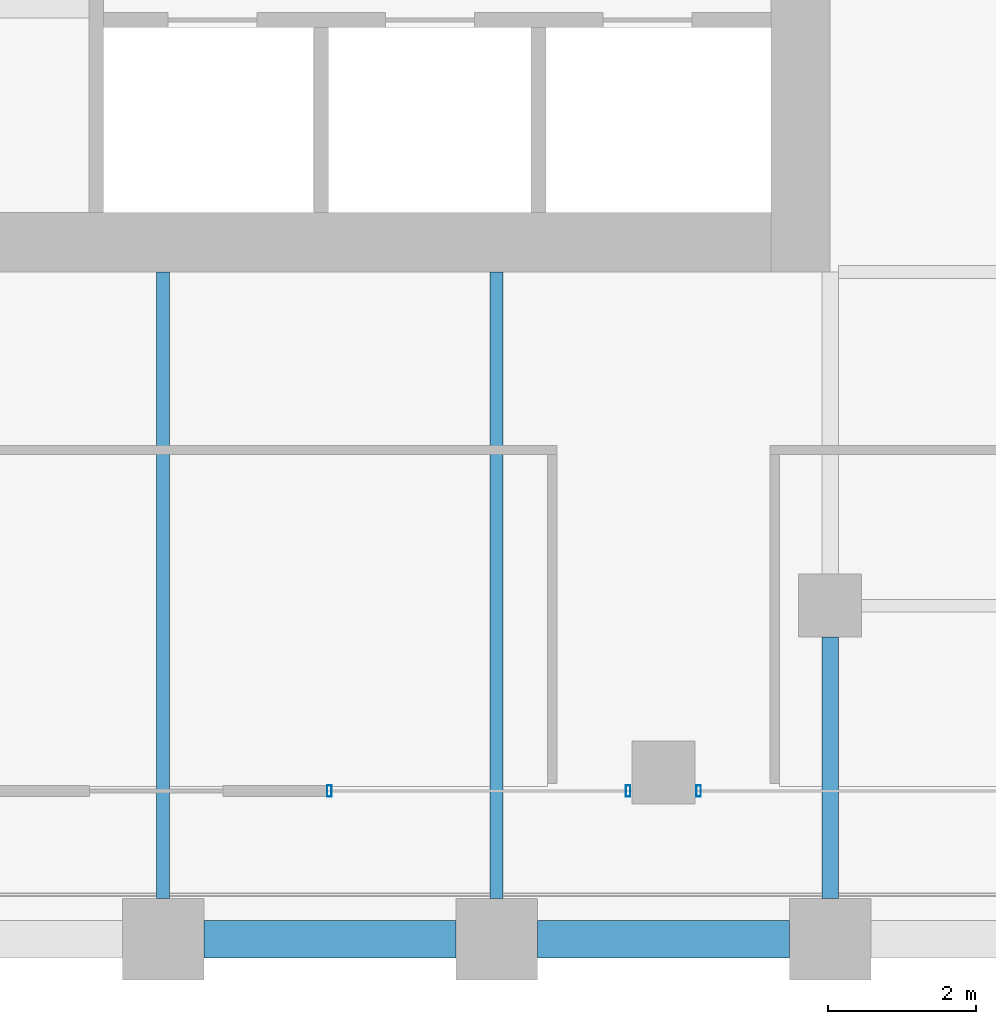
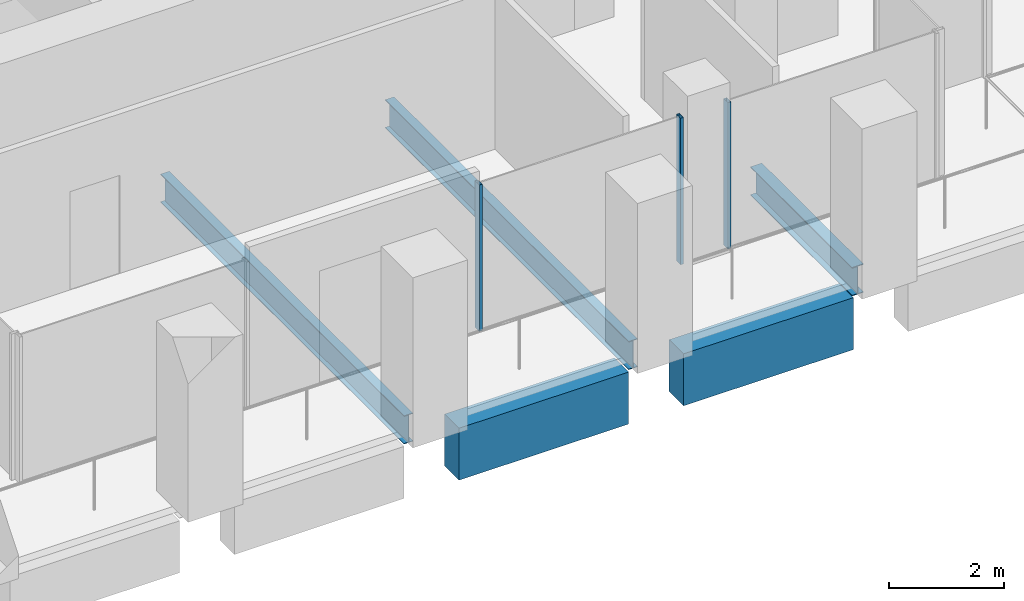
# One storey, part 37 of 56: 5 beams, 3 members, 2 elements without a shape of their own.
"""IFC4 building model written with IfcOpenShell, lengths in metres."""

from ifc_helpers import new_model, si_unit, direction, frame, origin, origin_2d, place, context, subcontext, project, spatial, rectangle, hollow_rectangle, i_section, extrude, material, material_profile, profile_set, type_object, element, aggregate, save


model = new_model("IFC4")

# Units and contexts
model_context = context("Model", 3, precision=1e-05, world=origin(), true_north=direction((0.0, 1.0)))
body_context = subcontext(model_context, "Body", "Model", "MODEL_VIEW")
ifc_project = project(units=[si_unit("LENGTHUNIT", "METRE"), si_unit("AREAUNIT", "SQUARE_METRE"), si_unit("VOLUMEUNIT", "CUBIC_METRE"), si_unit("PLANEANGLEUNIT", "RADIAN"), si_unit("MASSUNIT", "GRAM", prefix="KILO")], contexts=[model_context])

# Site, building, storey
site_placement = place(None, origin())
site = spatial("IfcSite", under=ifc_project, at=site_placement, CompositionType="ELEMENT")
building_placement = place(site_placement, origin())
building = spatial("IfcBuilding", under=site, at=building_placement, Name="Altepetl Exchange Towers", CompositionType="ELEMENT")
storey_placement = place(building_placement, frame((0.0, 0.0, 83.39990234375)))
storey = spatial("IfcBuildingStorey", under=building, at=storey_placement, Name="L20", CompositionType="ELEMENT", Elevation=83.39990234375)

# Beams
ifc_material_1 = material(Name="Steel S355", Category="steel")
ifc_material_profile_1 = material_profile(ifc_material_1, i_section(OverallWidth=0.177978515625, OverallDepth=0.59912109375, WebThickness=0.010009765625, FlangeThickness=0.0126953125, at=origin_2d()), Name="W24X55")
ifc_profile_set_1 = profile_set([ifc_material_profile_1], Name="Steel S355")
beam_type_1 = type_object("IfcBeamType", Name="Floor beam W24X55", PredefinedType="BEAM", material=ifc_profile_set_1)
for number, where, z_axis, x_axis, name in (
    (1, (108.0, 27.550048828125, -0.449462890625), (0.0, 1.0, 0.0), (-1.0, 0.0, 0.0), "bm:B:L20:010"),
    (2, (112.5, 27.550048828125, -0.449462890625), (0.0, 1.0, 0.0), (-1.0, 0.0, 0.0), "bm:B:L20:011"),
):
    element("IfcBeam", number, at=place(storey_placement, frame(where, z_axis=z_axis, x_axis=x_axis)), inside=storey, type_object=beam_type_1, Name=name, PredefinedType="BEAM", context=body_context, shape_type="SweptSolid", body=[
        extrude(i_section(OverallWidth=0.177978515625, OverallDepth=0.59912109375, WebThickness=0.010009765625, FlangeThickness=0.0126953125, at=origin_2d()), origin(), (0.0, 0.0, 1.0), 8.449951171875),
    ])
ifc_material_profile_2 = material_profile(ifc_material_1, i_section(OverallWidth=0.22802734375, OverallDepth=0.60791015625, WebThickness=0.01123046875, FlangeThickness=0.017333984375, at=origin_2d()), Name="W24X76")
ifc_profile_set_2 = profile_set([ifc_material_profile_2], Name="Steel S355")
beam_type_2 = type_object("IfcBeamType", Name="Girder W24X76", PredefinedType="BEAM", material=ifc_profile_set_2)
beam_placement = place(storey_placement, frame((117.0, 31.074951171875, -0.453857421875), z_axis=(0.0, -1.0, 0.0), x_axis=(1.0, 0.0, 0.0)))
element("IfcBeam", 3, at=beam_placement, inside=storey, type_object=beam_type_2, Name="gd:B:L20:005", PredefinedType="BEAM", context=body_context, shape_type="SweptSolid", body=[
    extrude(i_section(OverallWidth=0.22802734375, OverallDepth=0.60791015625, WebThickness=0.01123046875, FlangeThickness=0.017333984375, at=origin_2d()), origin(), (0.0, 0.0, 1.0), 3.52490234375),
])

# Curtain wall, members
ifc_material_2 = material(Name="Aluminium 6063-T6 glazing", Category="aluminium")
curtain_wall_type = type_object("IfcCurtainWallType", Name="Loggia glazing system", PredefinedType="NOTDEFINED", material=ifc_material_2)
curtain_wall_1_placement = place(storey_placement, origin())
curtain_wall_1 = element("IfcCurtainWall", 4, at=curtain_wall_1_placement, inside=storey, type_object=curtain_wall_type, Name="CW1 run", PredefinedType="NOTDEFINED")
ifc_material_3 = material(Name="Aluminium 6063-T6", Category="aluminium")
ifc_material_profile_3 = material_profile(ifc_material_3, hollow_rectangle(XDim=0.06005859375, YDim=0.14990234375, WallThickness=0.0029296875, at=origin_2d()), Name="Mullion 60x150 aluminium")
ifc_profile_set_3 = profile_set([ifc_material_profile_3], Name="Aluminium 6063-T6")
member_type = type_object("IfcMemberType", Name="Mullion 60x150 aluminium", PredefinedType="MULLION", material=ifc_profile_set_3)
member_1_placement = place(storey_placement, frame((110.242431640625, 29.0, 0.0)))
member_1 = element("IfcMember", 5, at=member_1_placement, type_object=member_type, Name="MU1 mullion", PredefinedType="MULLION", context=body_context, shape_type="SweptSolid", body=[
    extrude(hollow_rectangle(XDim=0.06005859375, YDim=0.14990234375, WallThickness=0.0029296875, at=origin_2d()), origin(), (0.0, 0.0, 1.0), 3.10009765625),
])
member_2_placement = place(storey_placement, frame((114.27490234375, 29.0, 0.0)))
member_2 = element("IfcMember", 6, at=member_2_placement, type_object=member_type, Name="MU1 mullion", PredefinedType="MULLION", context=body_context, shape_type="SweptSolid", body=[
    extrude(hollow_rectangle(XDim=0.06005859375, YDim=0.14990234375, WallThickness=0.0029296875, at=origin_2d()), origin(), (0.0, 0.0, 1.0), 3.10009765625),
])
aggregate(curtain_wall_1, [member_1, member_2])

# Curtain wall, member
curtain_wall_2_placement = place(storey_placement, origin())
curtain_wall_2 = element("IfcCurtainWall", 7, at=curtain_wall_2_placement, inside=storey, type_object=curtain_wall_type, Name="CW1 run", PredefinedType="NOTDEFINED")
member_3_placement = place(storey_placement, frame((115.22509765625, 29.0, 0.0)))
member_3 = element("IfcMember", 8, at=member_3_placement, type_object=member_type, Name="MU1 mullion", PredefinedType="MULLION", context=body_context, shape_type="SweptSolid", body=[
    extrude(hollow_rectangle(XDim=0.06005859375, YDim=0.14990234375, WallThickness=0.0029296875, at=origin_2d()), origin(), (0.0, 0.0, 1.0), 3.10009765625),
])
aggregate(curtain_wall_2, [member_3])

# Beams
ifc_material_4 = material(Name="Concrete C50/60 precast with tezontle facing", Category="concrete")
ifc_material_profile_4 = material_profile(ifc_material_4, rectangle(XDim=0.5, YDim=1.10009765625, at=origin_2d()), Name="500 x 1100")
ifc_profile_set_4 = profile_set([ifc_material_profile_4], Name="Concrete C50/60 precast with tezontle facing")
beam_type_3 = type_object("IfcBeamType", Name="Spandrel beam 500x1100 tezontle", PredefinedType="SPANDREL", material=ifc_profile_set_4)
for number, where, z_axis, x_axis, name in (
    (9, (108.550048828125, 27.0, -0.699951171875), (1.0, 0.0, 0.0), (0.0, 1.0, 0.0), "sp:B:L20:002"),
    (10, (113.050048828125, 27.0, -0.699951171875), (1.0, 0.0, 0.0), (0.0, 1.0, 0.0), "sp:B:L20:003"),
):
    element("IfcBeam", number, at=place(storey_placement, frame(where, z_axis=z_axis, x_axis=x_axis)), inside=storey, type_object=beam_type_3, Name=name, PredefinedType="SPANDREL", context=body_context, shape_type="SweptSolid", body=[
        extrude(rectangle(XDim=0.5, YDim=1.10009765625, at=origin_2d()), origin(), (0.0, 0.0, 1.0), 3.39990234375),
    ])

save(model, "model.ifc")
